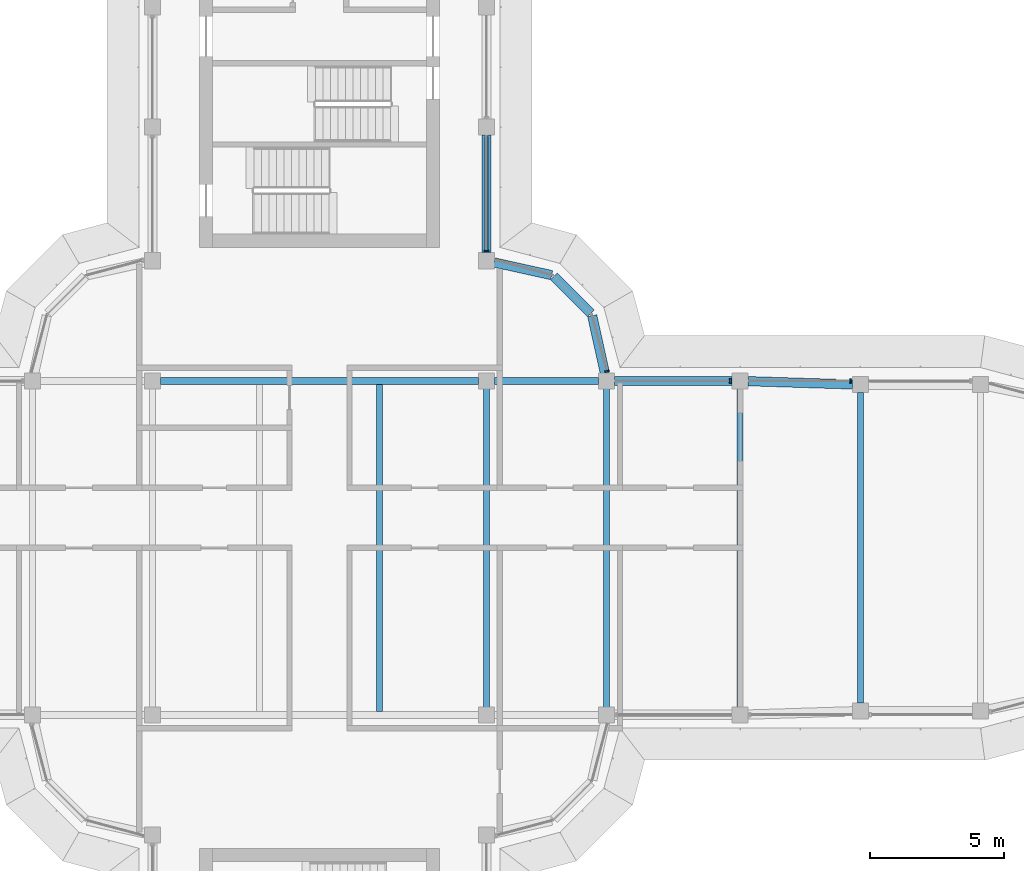
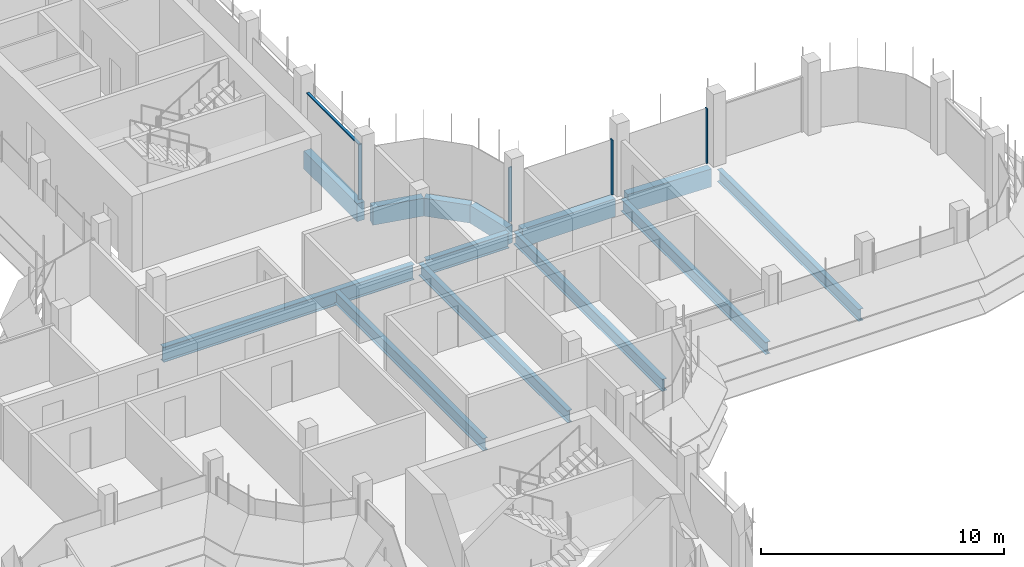
# One storey, part 8 of 19: 13 beams, 5 members, 3 elements without a shape of their own.
"""IFC4 building model written with IfcOpenShell, lengths in metres."""

import ifcopenshell
import ifcopenshell.guid

model = None  # the IFC model being written
_history = None  # IfcOwnerHistory: only IFC2X3 demands one
_inside = {}  # id of a spatial element -> (the spatial element, [elements in it])
_under = {}  # id of a project, library or spatial element -> (it, [spatial elements below it])
_declared = {}  # id of a project -> (the project, [libraries it declares])
_typed = {}  # id of a type object -> (the type object, [elements of that type])
_made_of = {}  # id of a material, layer set ... -> (it, [elements and type objects made of it])


def new_model(schema):
    """Start an empty IFC model of exactly this schema.

    Asked for "IFC4X3", IfcOpenShell would pick the latest addendum, in which some entities
    have other attributes; the version numbers below select the first issue.
    IFC2X3 requires an IfcOwnerHistory on every rooted entity: one is made here for all.
    """
    global model, _history
    if schema == "IFC4X3":
        model = ifcopenshell.file(schema_version=(4, 3, 0, 0))
    else:
        model = ifcopenshell.file(schema=schema)
    _inside.clear()
    _under.clear()
    _declared.clear()
    _typed.clear()
    _made_of.clear()
    _history = None
    if model.schema == "IFC2X3":
        org = make("IfcOrganization", Name="unknown")
        user = make(
            "IfcPersonAndOrganization",
            ThePerson=make("IfcPerson", FamilyName="unknown"),
            TheOrganization=org,
        )
        app = make(
            "IfcApplication",
            ApplicationDeveloper=org,
            Version="unknown",
            ApplicationFullName="unknown",
            ApplicationIdentifier="unknown",
        )
        _history = make(
            "IfcOwnerHistory",
            OwningUser=user,
            OwningApplication=app,
            ChangeAction="ADDED",
            CreationDate=0,
        )
    return model


def make(cls, **values):
    """One entity of the class cls with the attributes given. An attribute that is None is left unset."""
    return model.create_entity(
        cls, **{name: value for name, value in values.items() if value is not None}
    )


def rooted(cls, **values):
    """An entity with a GlobalId (a new one), such as an element, a storey or a relation."""
    return make(cls, GlobalId=ifcopenshell.guid.new(), OwnerHistory=_history, **values)


def si_unit(unit_type, name, prefix=None):
    """IfcSIUnit, for example si_unit("LENGTHUNIT", "METRE", prefix="MILLI")."""
    return make("IfcSIUnit", UnitType=unit_type, Prefix=prefix, Name=name)


def assignment(units):
    """IfcUnitAssignment: the units of a project."""
    return None if units is None else make("IfcUnitAssignment", Units=units)


def point(xyz):
    """IfcCartesianPoint."""
    return None if xyz is None else make("IfcCartesianPoint", Coordinates=xyz)


def direction(xyz):
    """IfcDirection."""
    return None if xyz is None else make("IfcDirection", DirectionRatios=xyz)


def frame(location, z_axis=None, x_axis=None):
    """IfcAxis2Placement3D, a coordinate frame: its origin and axes. An axis left out is left unset."""
    return make(
        "IfcAxis2Placement3D",
        Location=point(location),
        Axis=direction(z_axis),
        RefDirection=direction(x_axis),
    )


def frame_2d(location, x_axis=None):
    """IfcAxis2Placement2D, a coordinate frame in the plane: its origin and x axis."""
    return make(
        "IfcAxis2Placement2D", Location=point(location), RefDirection=direction(x_axis)
    )


def origin():
    """The frame at (0, 0, 0) with its axes left unset."""
    return frame((0.0, 0.0, 0.0))


def origin_2d():
    """The frame at (0, 0) in the plane with its x axis left unset."""
    return frame_2d((0.0, 0.0))


def place(relative_to, where):
    """IfcLocalPlacement: puts the frame where relative to a parent placement (None: the world)."""
    return make(
        "IfcLocalPlacement", PlacementRelTo=relative_to, RelativePlacement=where
    )


def context(
    kind, dimensions, precision=None, world=None, true_north=None, identifier=None
):
    """IfcGeometricRepresentationContext, for example the 3D "Model" context."""
    return make(
        "IfcGeometricRepresentationContext",
        ContextIdentifier=identifier,
        ContextType=kind,
        CoordinateSpaceDimension=dimensions,
        Precision=precision,
        WorldCoordinateSystem=world,
        TrueNorth=true_north,
    )


def subcontext(parent, identifier, kind, view, scale=None):
    """IfcGeometricRepresentationSubContext, for example "Body" below "Model"."""
    return make(
        "IfcGeometricRepresentationSubContext",
        ContextIdentifier=identifier,
        ContextType=kind,
        ParentContext=parent,
        TargetScale=scale,
        TargetView=view,
    )


def project(units=None, contexts=None):
    """IfcProject with its units and contexts."""
    return rooted(
        "IfcProject",
        Name="project",
        RepresentationContexts=contexts,
        UnitsInContext=assignment(units),
    )


def spatial(cls, under=None, at=None, **own):
    """A site, building, storey or space (cls), placed at a placement, below another one or the project."""
    s = rooted(cls, ObjectPlacement=at, **own)
    if under is not None:
        _under.setdefault(under.id(), (under, []))[1].append(s)
    return s


def polyline(points):
    """IfcPolyline through the points."""
    return make("IfcPolyline", Points=[point(p) for p in points])


def profile(cls, at=None, kind="AREA", **sizes):
    """A parametric profile (cls). Its sizes go by their IFC names, for example OverallWidth=200.0."""
    return make(cls, ProfileType=kind, Position=at, **sizes)


def rectangle(**sizes):
    """IfcRectangleProfileDef."""
    return profile("IfcRectangleProfileDef", **sizes)


def i_section(**sizes):
    """IfcIShapeProfileDef."""
    return profile("IfcIShapeProfileDef", **sizes)


def outline(outer, holes=None, kind="AREA"):
    """IfcArbitraryClosedProfileDef: a profile drawn as a closed curve; with holes, ...WithVoids."""
    if holes is None:
        return make("IfcArbitraryClosedProfileDef", ProfileType=kind, OuterCurve=outer)
    return make(
        "IfcArbitraryProfileDefWithVoids",
        ProfileType=kind,
        OuterCurve=outer,
        InnerCurves=holes,
    )


def extrude(swept, where, along, depth):
    """IfcExtrudedAreaSolid: the profile swept, set in the frame where, extruded along a direction by depth."""
    return make(
        "IfcExtrudedAreaSolid",
        SweptArea=swept,
        Position=where,
        ExtrudedDirection=direction(along),
        Depth=depth,
    )


def shape(context_of_items, identifier, shape_type, items):
    """IfcShapeRepresentation: the items that make up one representation, for example the "Body"."""
    return make(
        "IfcShapeRepresentation",
        ContextOfItems=context_of_items,
        RepresentationIdentifier=identifier,
        RepresentationType=shape_type,
        Items=items,
    )


def source(mapping_origin, context_of_items, identifier, shape_type, items):
    """IfcRepresentationMap: a shape defined once, which mapped items show again and again."""
    return make(
        "IfcRepresentationMap",
        MappingOrigin=mapping_origin,
        MappedRepresentation=shape(context_of_items, identifier, shape_type, items),
    )


def transform(
    local_origin,
    x_axis=None,
    y_axis=None,
    z_axis=None,
    scale=None,
    scale2=None,
    scale3=None,
    uniform=True,
):
    """IfcCartesianTransformationOperator3D, or its non-uniform kind. x_axis, y_axis, z_axis: its Axis1, 2, 3."""
    if uniform:
        return make(
            "IfcCartesianTransformationOperator3D",
            Axis1=direction(x_axis),
            Axis2=direction(y_axis),
            LocalOrigin=point(local_origin),
            Scale=scale,
            Axis3=direction(z_axis),
        )
    return make(
        "IfcCartesianTransformationOperator3DnonUniform",
        Axis1=direction(x_axis),
        Axis2=direction(y_axis),
        LocalOrigin=point(local_origin),
        Scale=scale,
        Axis3=direction(z_axis),
        Scale2=scale2,
        Scale3=scale3,
    )


def mapped(mapping_source, mapping_target):
    """IfcMappedItem: shows the shape of a source again, moved by a transform."""
    return make(
        "IfcMappedItem", MappingSource=mapping_source, MappingTarget=mapping_target
    )


def material(Name=None, Category=None):
    """IfcMaterial."""
    return make("IfcMaterial", Name=Name, Category=Category)


def material_profile(
    of_material, cross_section, Name=None, Category=None, Priority=None
):
    """IfcMaterialProfile: a cross section and its material."""
    return make(
        "IfcMaterialProfile",
        Name=Name,
        Material=of_material,
        Profile=cross_section,
        Priority=Priority,
        Category=Category,
    )


def profile_set(profiles, Name=None, composite=None):
    """IfcMaterialProfileSet."""
    return make(
        "IfcMaterialProfileSet",
        Name=Name,
        MaterialProfiles=profiles,
        CompositeProfile=composite,
    )


def made_of(thing, what):
    """Note that an element or type object is made of a material, layer set ...; save() writes the relation."""
    if what is not None:
        _made_of.setdefault(what.id(), (what, []))[1].append(thing)
    return thing


def type_object(cls, material=None, **own):
    """A type object (cls), such as IfcWallType, which elements share."""
    return made_of(rooted(cls, **own), material)


def element(
    cls,
    number,
    at=None,
    inside=None,
    cuts=None,
    type_object=None,
    material=None,
    context=None,
    identifier="Body",
    shape_type=None,
    held_by="IfcProductDefinitionShape",
    body=None,
    shapes=None,
    **own,
):
    """One element of the class cls, such as IfcWall. Its Tag is "e" and its number.

    at: its placement. inside: the storey or other place that contains it. cuts: it is an
    opening in that element (IfcRelVoidsElement). A single representation is given by context,
    identifier, shape_type and body (its items); several are given by shapes. held_by: the class
    of the entity that holds the representations. save() writes the other relations.
    """
    e = rooted(cls, Tag="e%d" % number, ObjectPlacement=at, **own)
    if body is not None:
        shapes = [shape(context, identifier, shape_type, body)]
    if shapes is not None:
        e.Representation = make(held_by, Representations=shapes)
    if inside is not None:
        _inside.setdefault(inside.id(), (inside, []))[1].append(e)
    if cuts is not None:
        rooted(
            "IfcRelVoidsElement", RelatingBuildingElement=cuts, RelatedOpeningElement=e
        )
    if type_object is not None:
        _typed.setdefault(type_object.id(), (type_object, []))[1].append(e)
    return made_of(e, material)


def aggregate(whole, parts):
    """IfcRelAggregates: a whole, such as a stair, and the parts it consists of."""
    return rooted("IfcRelAggregates", RelatingObject=whole, RelatedObjects=parts)


def save(model, path):
    """Write the relations noted so far, then the file.

    IfcRelAggregates (storeys below a building ...), IfcRelContainedInSpatialStructure (elements
    in a storey), IfcRelDefinesByType, IfcRelAssociatesMaterial and IfcRelDeclares: one each for
    every whole, place, type object, material and project.
    """
    for whole, parts in _under.values():
        aggregate(whole, parts)
    for where, things in _inside.values():
        rooted(
            "IfcRelContainedInSpatialStructure",
            RelatedElements=things,
            RelatingStructure=where,
        )
    for kind, things in _typed.values():
        rooted("IfcRelDefinesByType", RelatedObjects=things, RelatingType=kind)
    for what, things in _made_of.values():
        rooted("IfcRelAssociatesMaterial", RelatedObjects=things, RelatingMaterial=what)
    for by, libraries in _declared.values():
        rooted("IfcRelDeclares", RelatingContext=by, RelatedDefinitions=libraries)
    model.write(path)


model = new_model("IFC4")

# Units and contexts
model_context = context("Model", 3, precision=1e-05, world=origin(), true_north=direction((0.0, 1.0)))
body_context = subcontext(model_context, "Body", "Model", "MODEL_VIEW")
ifc_project = project(units=[si_unit("LENGTHUNIT", "METRE"), si_unit("AREAUNIT", "SQUARE_METRE"), si_unit("VOLUMEUNIT", "CUBIC_METRE"), si_unit("PLANEANGLEUNIT", "RADIAN"), si_unit("MASSUNIT", "GRAM", prefix="KILO")], contexts=[model_context])

# Site, building, storey
site_placement = place(None, origin())
site = spatial("IfcSite", under=ifc_project, at=site_placement, CompositionType="ELEMENT")
building_placement = place(site_placement, origin())
building = spatial("IfcBuilding", under=site, at=building_placement, Name="Zarbagh Exchange Tower", CompositionType="ELEMENT")
storey_placement = place(building_placement, frame((0.0, 0.0, 257.39990234375)))
storey = spatial("IfcBuildingStorey", under=building, at=storey_placement, Name="L63", CompositionType="ELEMENT", Elevation=257.39990234375)

# Beams
ifc_material_1 = material(Name="Steel ASTM A992 Gr 50", Category="steel")
ifc_material_profile_1 = material_profile(ifc_material_1, i_section(OverallWidth=0.228271484375, OverallDepth=0.607177734375, WebThickness=0.01123046875, FlangeThickness=0.017333984375, at=origin_2d()), Name="W24X76")
ifc_profile_set_1 = profile_set([ifc_material_profile_1], Name="Steel ASTM A992 Gr 50")
beam_type_1 = type_object("IfcBeamType", Name="Floor beam W24X76", PredefinedType="BEAM", material=ifc_profile_set_1)
for number, where, z_axis, x_axis, name in (
    (1, (2.25, -6.11669921875, -0.453369140625), (0.0, 1.0, 0.0), (-1.0, 0.0, 0.0), "Steel floor beam"),
    (2, (6.25, -6.11669921875, -0.453369140625), (0.0, 1.0, 0.0), (-1.0, 0.0, 0.0), "Steel floor beam"),
    (3, (10.75, -6.11669921875, -0.453369140625), (0.0, 1.0, 0.0), (-1.0, 0.0, 0.0), "Steel floor beam"),
):
    element("IfcBeam", number, at=place(storey_placement, frame(where, z_axis=z_axis, x_axis=x_axis)), inside=storey, type_object=beam_type_1, Name=name, PredefinedType="BEAM", context=body_context, shape_type="SweptSolid", body=[
        extrude(i_section(OverallWidth=0.228271484375, OverallDepth=0.607177734375, WebThickness=0.01123046875, FlangeThickness=0.017333984375, at=origin_2d()), origin(), (0.0, 0.0, 1.0), 12.2333984375),
    ])
beam_1_placement = place(storey_placement, frame((15.75, -5.949951171875, -0.453369140625), z_axis=(0.0, 1.0, 0.0), x_axis=(-1.0, 0.0, 0.0)))
element("IfcBeam", 4, at=beam_1_placement, inside=storey, type_object=beam_type_1, Name="Steel floor beam", PredefinedType="BEAM", context=body_context, shape_type="SweptSolid", body=[
    extrude(i_section(OverallWidth=0.228271484375, OverallDepth=0.607177734375, WebThickness=0.01123046875, FlangeThickness=0.017333984375, at=origin_2d()), origin(), (0.0, 0.0, 1.0), 11.89990234375),
])
beam_2_placement = place(storey_placement, frame((20.25, -5.81005859375, -0.453369140625), z_axis=(0.0, 1.0, 0.0), x_axis=(-1.0, 0.0, 0.0)))
element("IfcBeam", 5, at=beam_2_placement, inside=storey, type_object=beam_type_1, Name="Steel floor beam", PredefinedType="BEAM", context=body_context, shape_type="SweptSolid", body=[
    extrude(i_section(OverallWidth=0.228271484375, OverallDepth=0.607177734375, WebThickness=0.01123046875, FlangeThickness=0.017333984375, at=origin_2d()), origin(), (0.0, 0.0, 1.0), 11.6201171875),
])
ifc_material_profile_2 = material_profile(ifc_material_1, i_section(OverallWidth=0.2666015625, OverallDepth=0.7568359375, WebThickness=0.013916015625, FlangeThickness=0.019287109375, at=origin_2d()), Name="W30X108")
ifc_profile_set_2 = profile_set([ifc_material_profile_2], Name="Steel ASTM A992 Gr 50")
beam_type_2 = type_object("IfcBeamType", Name="Floor girder W30X108", PredefinedType="BEAM", material=ifc_profile_set_2)
beam_3_placement = place(storey_placement, frame((-5.949951171875, 6.25, -0.5283203125), z_axis=(1.0, 0.0, 0.0), x_axis=(0.0, 1.0, 0.0)))
element("IfcBeam", 6, at=beam_3_placement, inside=storey, type_object=beam_type_2, Name="Steel girder", PredefinedType="BEAM", context=body_context, shape_type="SweptSolid", body=[
    extrude(i_section(OverallWidth=0.2666015625, OverallDepth=0.7568359375, WebThickness=0.013916015625, FlangeThickness=0.019287109375, at=origin_2d()), origin(), (0.0, 0.0, 1.0), 11.89990234375),
])
beam_4_placement = place(storey_placement, frame((6.550048828125, 6.25, -0.5283203125), z_axis=(1.0, 0.0, 0.0), x_axis=(0.0, 1.0, 0.0)))
element("IfcBeam", 7, at=beam_4_placement, inside=storey, type_object=beam_type_2, Name="Steel girder", PredefinedType="BEAM", context=body_context, shape_type="SweptSolid", body=[
    extrude(i_section(OverallWidth=0.2666015625, OverallDepth=0.7568359375, WebThickness=0.013916015625, FlangeThickness=0.019287109375, at=origin_2d()), origin(), (0.0, 0.0, 1.0), 3.89990234375),
])
ifc_material_2 = material(Name="Concrete C40/50", Category="concrete")
ifc_material_profile_3 = material_profile(ifc_material_2, rectangle(XDim=0.35009765625, YDim=0.89990234375, at=origin_2d()), Name="RC spandrel beam 350 x 900 C40/50")
ifc_profile_set_3 = profile_set([ifc_material_profile_3], Name="Concrete C40/50")
beam_type_3 = type_object("IfcBeamType", Name="RC spandrel beam 350 x 900 C40/50", PredefinedType="SPANDREL", material=ifc_profile_set_3)
beam_5_placement = place(storey_placement, frame((6.25, 15.449951171875, -0.599853515625), z_axis=(0.0, -1.0, 0.0), x_axis=(1.0, 0.0, 0.0)))
element("IfcBeam", 8, at=beam_5_placement, inside=storey, type_object=beam_type_3, Name="RC spandrel beam", PredefinedType="SPANDREL", context=body_context, shape_type="SweptSolid", body=[
    extrude(rectangle(XDim=0.35009765625, YDim=0.89990234375, at=origin_2d()), origin(), (0.0, 0.0, 1.0), 4.39990234375),
])
beam_6_placement = place(storey_placement, frame((6.54296875, 10.685302734375, -0.599853515625), z_axis=(0.976387662047, -0.216025770228, 0.0), x_axis=(0.216025770228, 0.976387662047, 0.0)))
element("IfcBeam", 9, at=beam_6_placement, inside=storey, type_object=beam_type_3, Name="RC spandrel beam", PredefinedType="SPANDREL", context=body_context, shape_type="SweptSolid", body=[
    extrude(rectangle(XDim=0.35009765625, YDim=0.89990234375, at=origin_2d()), origin(), (0.0, 0.0, 1.0), 2.200439453125),
])
beam_7_placement = place(storey_placement, frame((8.77734375, 10.16259765625, -0.599853515625), z_axis=(0.707106781187, -0.707106781187, 0.0), x_axis=(0.707106781187, 0.707106781187, 0.0)))
element("IfcBeam", 10, at=beam_7_placement, inside=storey, type_object=beam_type_3, Name="RC spandrel beam", PredefinedType="SPANDREL", context=body_context, shape_type="SweptSolid", body=[
    extrude(rectangle(XDim=0.35009765625, YDim=0.89990234375, at=origin_2d()), origin(), (0.0, 0.0, 1.0), 1.958984375),
])
beam_8_placement = place(storey_placement, frame((10.2099609375, 8.69140625, -0.599853515625), z_axis=(0.216025770228, -0.976387662047, 0.0), x_axis=(0.976387662047, 0.216025770228, 0.0)))
element("IfcBeam", 11, at=beam_8_placement, inside=storey, type_object=beam_type_3, Name="RC spandrel beam", PredefinedType="SPANDREL", context=body_context, shape_type="SweptSolid", body=[
    extrude(rectangle(XDim=0.35009765625, YDim=0.89990234375, at=origin_2d()), origin(), (0.0, 0.0, 1.0), 2.200439453125),
])
beam_9_placement = place(storey_placement, frame((11.050048828125, 6.25, -0.599853515625), z_axis=(1.0, 0.0, 0.0), x_axis=(0.0, 1.0, 0.0)))
element("IfcBeam", 12, at=beam_9_placement, inside=storey, type_object=beam_type_3, Name="RC spandrel beam", PredefinedType="SPANDREL", context=body_context, shape_type="SweptSolid", body=[
    extrude(rectangle(XDim=0.35009765625, YDim=0.89990234375, at=origin_2d()), origin(), (0.0, 0.0, 1.0), 4.39990234375),
])
beam_10_placement = place(storey_placement, frame((16.0498046875, 6.24072265625, -0.599853515625), z_axis=(0.999516460907, -0.031094121249, 0.0), x_axis=(0.031094121249, 0.999516460907, 0.0)))
element("IfcBeam", 13, at=beam_10_placement, inside=storey, type_object=beam_type_3, Name="RC spandrel beam", PredefinedType="SPANDREL", context=body_context, shape_type="SweptSolid", body=[
    extrude(rectangle(XDim=0.35009765625, YDim=0.89990234375, at=origin_2d()), origin(), (0.0, 0.0, 1.0), 3.90234375),
])

# Curtain wall, members
ifc_material_3 = material(Name="Anodised aluminium frame and glazing", Category="aluminium")
curtain_wall_type = type_object("IfcCurtainWallType", Name="CWB Ribbon glazing, upper zones", PredefinedType="NOTDEFINED", material=ifc_material_3)
curtain_wall_1_placement = place(storey_placement, origin())
curtain_wall_1 = element("IfcCurtainWall", 14, at=curtain_wall_1_placement, inside=storey, type_object=curtain_wall_type, Name="CWB82 curtain wall", PredefinedType="NOTDEFINED")
ifc_material_4 = material(Name="Anodised aluminium frame", Category="aluminium")
member_type_1 = type_object("IfcMemberType", Name="MUB Mullion, anodised aluminium frame", PredefinedType="MULLION", material=ifc_material_4)
shared_shape_1 = source(origin(), body_context, "Body", "SweptSolid", [
    extrude(outline(polyline([(0.0, -0.080078125), (0.06005859375, -0.080078125), (0.06005859375, 0.080078125), (0.0, 0.080078125), (0.0, -0.080078125)])), origin(), (0.0, 0.0, 1.0), 2.75),
])
placement = place(storey_placement, origin())
member_1 = element("IfcMember", 15, at=placement, type_object=member_type_1, Name="CWB82 mullion 2.1", PredefinedType="MULLION", context=body_context, shape_type="MappedRepresentation", body=[
    mapped(shared_shape_1, transform((19.909912109375, 6.25, 0.0), x_axis=(-1.0, 0.0, 0.0), y_axis=(0.0, -1.0, 0.0), z_axis=(0.0, 0.0, 1.0))),
])
member_2 = element("IfcMember", 16, at=placement, type_object=member_type_1, Name="CWB82 mullion 3.1", PredefinedType="MULLION", context=body_context, shape_type="MappedRepresentation", body=[
    mapped(shared_shape_1, transform((15.409912109375, 6.25, 0.0), x_axis=(-1.0, 0.0, 0.0), y_axis=(0.0, -1.0, 0.0), z_axis=(0.0, 0.0, 1.0))),
])
aggregate(curtain_wall_1, [member_1, member_2])

# Curtain wall, member
curtain_wall_2_placement = place(storey_placement, origin())
curtain_wall_2 = element("IfcCurtainWall", 17, at=curtain_wall_2_placement, inside=storey, type_object=curtain_wall_type, Name="CWB17 curtain wall", PredefinedType="NOTDEFINED")
member_3 = element("IfcMember", 18, at=placement, type_object=member_type_1, Name="CWB17 mullion 1.1", PredefinedType="MULLION", context=body_context, shape_type="MappedRepresentation", body=[
    mapped(shared_shape_1, transform((10.775146484375, 6.590087890625, 0.0), x_axis=(-0.258824779902, 0.965924289636, 0.0), y_axis=(-0.965924289636, -0.258824779902, 0.0), z_axis=(0.0, 0.0, 1.0))),
])
aggregate(curtain_wall_2, [member_3])

# Curtain wall, members
curtain_wall_3_placement = place(storey_placement, origin())
curtain_wall_3 = element("IfcCurtainWall", 19, at=curtain_wall_3_placement, inside=storey, type_object=curtain_wall_type, Name="CWB67 curtain wall", PredefinedType="NOTDEFINED")
member_4 = element("IfcMember", 20, at=placement, type_object=member_type_1, Name="CWB67 mullion 1.1", PredefinedType="MULLION", context=body_context, shape_type="MappedRepresentation", body=[
    mapped(shared_shape_1, transform((6.25, 11.090087890625, 0.0), x_axis=(0.0, 1.0, 0.0), y_axis=(-1.0, 0.0, 0.0), z_axis=(0.0, 0.0, 1.0))),
])
member_type_2 = type_object("IfcMemberType", Name="TRB Transom, anodised aluminium frame", PredefinedType="USERDEFINED", material=ifc_material_4)
shared_shape_2 = source(origin(), body_context, "Body", "SweptSolid", [
    extrude(outline(polyline([(-0.06005859375, -0.06005859375), (0.0, -0.06005859375), (0.0, 0.06005859375), (-0.06005859375, 0.06005859375), (-0.06005859375, -0.06005859375)])), origin(), (0.0, 0.0, 1.0), 4.260009765625),
])
member_5 = element("IfcMember", 21, at=placement, type_object=member_type_2, Name="CWB67 transom 1.1", ObjectType="TRANSOM", PredefinedType="USERDEFINED", context=body_context, shape_type="MappedRepresentation", body=[
    mapped(shared_shape_2, transform((6.25, 11.150146484375, 2.75), x_axis=(0.0, 0.0, 1.0), y_axis=(1.0, 0.0, 0.0), z_axis=(0.0, 1.0, 0.0))),
])
aggregate(curtain_wall_3, [member_4, member_5])

save(model, "model.ifc")
